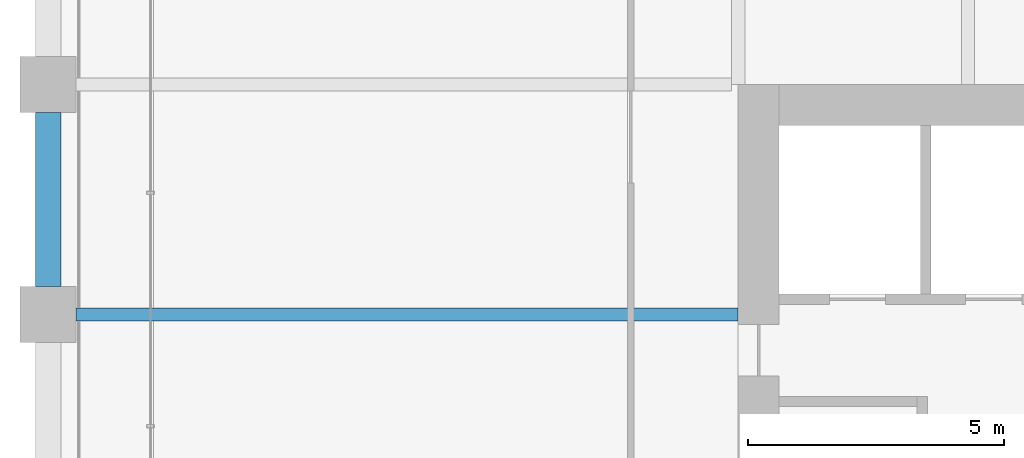
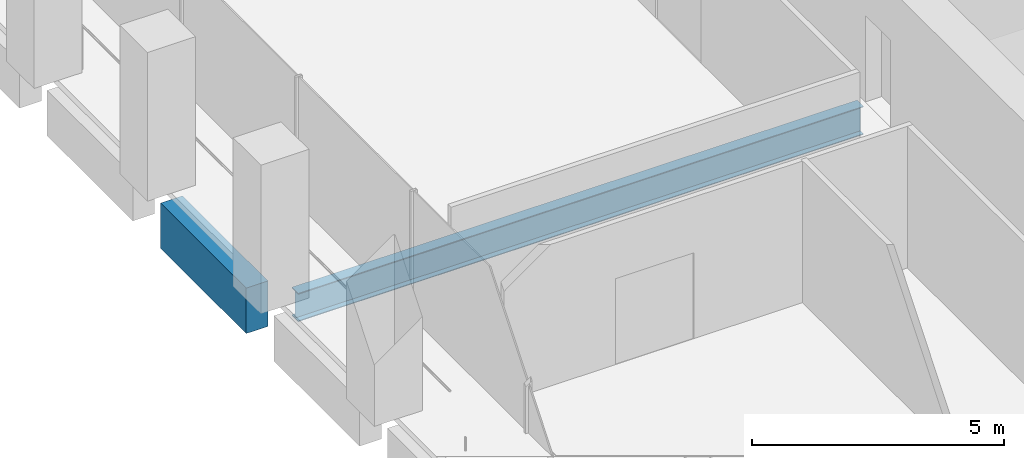
# One storey, part 13 of 54: 2 beams.
"""IFC4 building model written with IfcOpenShell, lengths in metres."""

import ifcopenshell
import ifcopenshell.guid

model = None  # the IFC model being written
_history = None  # IfcOwnerHistory: only IFC2X3 demands one
_inside = {}  # id of a spatial element -> (the spatial element, [elements in it])
_under = {}  # id of a project, library or spatial element -> (it, [spatial elements below it])
_declared = {}  # id of a project -> (the project, [libraries it declares])
_typed = {}  # id of a type object -> (the type object, [elements of that type])
_made_of = {}  # id of a material, layer set ... -> (it, [elements and type objects made of it])


def new_model(schema):
    """Start an empty IFC model of exactly this schema.

    Asked for "IFC4X3", IfcOpenShell would pick the latest addendum, in which some entities
    have other attributes; the version numbers below select the first issue.
    IFC2X3 requires an IfcOwnerHistory on every rooted entity: one is made here for all.
    """
    global model, _history
    if schema == "IFC4X3":
        model = ifcopenshell.file(schema_version=(4, 3, 0, 0))
    else:
        model = ifcopenshell.file(schema=schema)
    _inside.clear()
    _under.clear()
    _declared.clear()
    _typed.clear()
    _made_of.clear()
    _history = None
    if model.schema == "IFC2X3":
        org = make("IfcOrganization", Name="unknown")
        user = make(
            "IfcPersonAndOrganization",
            ThePerson=make("IfcPerson", FamilyName="unknown"),
            TheOrganization=org,
        )
        app = make(
            "IfcApplication",
            ApplicationDeveloper=org,
            Version="unknown",
            ApplicationFullName="unknown",
            ApplicationIdentifier="unknown",
        )
        _history = make(
            "IfcOwnerHistory",
            OwningUser=user,
            OwningApplication=app,
            ChangeAction="ADDED",
            CreationDate=0,
        )
    return model


def make(cls, **values):
    """One entity of the class cls with the attributes given. An attribute that is None is left unset."""
    return model.create_entity(
        cls, **{name: value for name, value in values.items() if value is not None}
    )


def rooted(cls, **values):
    """An entity with a GlobalId (a new one), such as an element, a storey or a relation."""
    return make(cls, GlobalId=ifcopenshell.guid.new(), OwnerHistory=_history, **values)


def si_unit(unit_type, name, prefix=None):
    """IfcSIUnit, for example si_unit("LENGTHUNIT", "METRE", prefix="MILLI")."""
    return make("IfcSIUnit", UnitType=unit_type, Prefix=prefix, Name=name)


def assignment(units):
    """IfcUnitAssignment: the units of a project."""
    return None if units is None else make("IfcUnitAssignment", Units=units)


def point(xyz):
    """IfcCartesianPoint."""
    return None if xyz is None else make("IfcCartesianPoint", Coordinates=xyz)


def direction(xyz):
    """IfcDirection."""
    return None if xyz is None else make("IfcDirection", DirectionRatios=xyz)


def frame(location, z_axis=None, x_axis=None):
    """IfcAxis2Placement3D, a coordinate frame: its origin and axes. An axis left out is left unset."""
    return make(
        "IfcAxis2Placement3D",
        Location=point(location),
        Axis=direction(z_axis),
        RefDirection=direction(x_axis),
    )


def frame_2d(location, x_axis=None):
    """IfcAxis2Placement2D, a coordinate frame in the plane: its origin and x axis."""
    return make(
        "IfcAxis2Placement2D", Location=point(location), RefDirection=direction(x_axis)
    )


def origin():
    """The frame at (0, 0, 0) with its axes left unset."""
    return frame((0.0, 0.0, 0.0))


def origin_2d():
    """The frame at (0, 0) in the plane with its x axis left unset."""
    return frame_2d((0.0, 0.0))


def place(relative_to, where):
    """IfcLocalPlacement: puts the frame where relative to a parent placement (None: the world)."""
    return make(
        "IfcLocalPlacement", PlacementRelTo=relative_to, RelativePlacement=where
    )


def context(
    kind, dimensions, precision=None, world=None, true_north=None, identifier=None
):
    """IfcGeometricRepresentationContext, for example the 3D "Model" context."""
    return make(
        "IfcGeometricRepresentationContext",
        ContextIdentifier=identifier,
        ContextType=kind,
        CoordinateSpaceDimension=dimensions,
        Precision=precision,
        WorldCoordinateSystem=world,
        TrueNorth=true_north,
    )


def subcontext(parent, identifier, kind, view, scale=None):
    """IfcGeometricRepresentationSubContext, for example "Body" below "Model"."""
    return make(
        "IfcGeometricRepresentationSubContext",
        ContextIdentifier=identifier,
        ContextType=kind,
        ParentContext=parent,
        TargetScale=scale,
        TargetView=view,
    )


def project(units=None, contexts=None):
    """IfcProject with its units and contexts."""
    return rooted(
        "IfcProject",
        Name="project",
        RepresentationContexts=contexts,
        UnitsInContext=assignment(units),
    )


def spatial(cls, under=None, at=None, **own):
    """A site, building, storey or space (cls), placed at a placement, below another one or the project."""
    s = rooted(cls, ObjectPlacement=at, **own)
    if under is not None:
        _under.setdefault(under.id(), (under, []))[1].append(s)
    return s


def profile(cls, at=None, kind="AREA", **sizes):
    """A parametric profile (cls). Its sizes go by their IFC names, for example OverallWidth=200.0."""
    return make(cls, ProfileType=kind, Position=at, **sizes)


def rectangle(**sizes):
    """IfcRectangleProfileDef."""
    return profile("IfcRectangleProfileDef", **sizes)


def i_section(**sizes):
    """IfcIShapeProfileDef."""
    return profile("IfcIShapeProfileDef", **sizes)


def extrude(swept, where, along, depth):
    """IfcExtrudedAreaSolid: the profile swept, set in the frame where, extruded along a direction by depth."""
    return make(
        "IfcExtrudedAreaSolid",
        SweptArea=swept,
        Position=where,
        ExtrudedDirection=direction(along),
        Depth=depth,
    )


def shape(context_of_items, identifier, shape_type, items):
    """IfcShapeRepresentation: the items that make up one representation, for example the "Body"."""
    return make(
        "IfcShapeRepresentation",
        ContextOfItems=context_of_items,
        RepresentationIdentifier=identifier,
        RepresentationType=shape_type,
        Items=items,
    )


def material(Name=None, Category=None):
    """IfcMaterial."""
    return make("IfcMaterial", Name=Name, Category=Category)


def material_profile(
    of_material, cross_section, Name=None, Category=None, Priority=None
):
    """IfcMaterialProfile: a cross section and its material."""
    return make(
        "IfcMaterialProfile",
        Name=Name,
        Material=of_material,
        Profile=cross_section,
        Priority=Priority,
        Category=Category,
    )


def profile_set(profiles, Name=None, composite=None):
    """IfcMaterialProfileSet."""
    return make(
        "IfcMaterialProfileSet",
        Name=Name,
        MaterialProfiles=profiles,
        CompositeProfile=composite,
    )


def made_of(thing, what):
    """Note that an element or type object is made of a material, layer set ...; save() writes the relation."""
    if what is not None:
        _made_of.setdefault(what.id(), (what, []))[1].append(thing)
    return thing


def type_object(cls, material=None, **own):
    """A type object (cls), such as IfcWallType, which elements share."""
    return made_of(rooted(cls, **own), material)


def element(
    cls,
    number,
    at=None,
    inside=None,
    cuts=None,
    type_object=None,
    material=None,
    context=None,
    identifier="Body",
    shape_type=None,
    held_by="IfcProductDefinitionShape",
    body=None,
    shapes=None,
    **own,
):
    """One element of the class cls, such as IfcWall. Its Tag is "e" and its number.

    at: its placement. inside: the storey or other place that contains it. cuts: it is an
    opening in that element (IfcRelVoidsElement). A single representation is given by context,
    identifier, shape_type and body (its items); several are given by shapes. held_by: the class
    of the entity that holds the representations. save() writes the other relations.
    """
    e = rooted(cls, Tag="e%d" % number, ObjectPlacement=at, **own)
    if body is not None:
        shapes = [shape(context, identifier, shape_type, body)]
    if shapes is not None:
        e.Representation = make(held_by, Representations=shapes)
    if inside is not None:
        _inside.setdefault(inside.id(), (inside, []))[1].append(e)
    if cuts is not None:
        rooted(
            "IfcRelVoidsElement", RelatingBuildingElement=cuts, RelatedOpeningElement=e
        )
    if type_object is not None:
        _typed.setdefault(type_object.id(), (type_object, []))[1].append(e)
    return made_of(e, material)


def aggregate(whole, parts):
    """IfcRelAggregates: a whole, such as a stair, and the parts it consists of."""
    return rooted("IfcRelAggregates", RelatingObject=whole, RelatedObjects=parts)


def save(model, path):
    """Write the relations noted so far, then the file.

    IfcRelAggregates (storeys below a building ...), IfcRelContainedInSpatialStructure (elements
    in a storey), IfcRelDefinesByType, IfcRelAssociatesMaterial and IfcRelDeclares: one each for
    every whole, place, type object, material and project.
    """
    for whole, parts in _under.values():
        aggregate(whole, parts)
    for where, things in _inside.values():
        rooted(
            "IfcRelContainedInSpatialStructure",
            RelatedElements=things,
            RelatingStructure=where,
        )
    for kind, things in _typed.values():
        rooted("IfcRelDefinesByType", RelatedObjects=things, RelatingType=kind)
    for what, things in _made_of.values():
        rooted("IfcRelAssociatesMaterial", RelatedObjects=things, RelatingMaterial=what)
    for by, libraries in _declared.values():
        rooted("IfcRelDeclares", RelatingContext=by, RelatedDefinitions=libraries)
    model.write(path)


model = new_model("IFC4")

# Units and contexts
model_context = context("Model", 3, precision=1e-05, world=origin(), true_north=direction((0.0, 1.0)))
body_context = subcontext(model_context, "Body", "Model", "MODEL_VIEW")
ifc_project = project(units=[si_unit("LENGTHUNIT", "METRE"), si_unit("AREAUNIT", "SQUARE_METRE"), si_unit("VOLUMEUNIT", "CUBIC_METRE"), si_unit("PLANEANGLEUNIT", "RADIAN"), si_unit("MASSUNIT", "GRAM", prefix="KILO")], contexts=[model_context])

# Site, building, storey
site_placement = place(None, origin())
site = spatial("IfcSite", under=ifc_project, at=site_placement, CompositionType="ELEMENT")
building_placement = place(site_placement, origin())
building = spatial("IfcBuilding", under=site, at=building_placement, Name="Altepetl Exchange Towers", CompositionType="ELEMENT")
storey_placement = place(building_placement, frame((0.0, 0.0, 58.199951171875)))
storey = spatial("IfcBuildingStorey", under=building, at=storey_placement, Name="L13", CompositionType="ELEMENT", Elevation=58.199951171875)

# Beams
ifc_material_1 = material(Name="Steel S355", Category="steel")
ifc_material_profile_1 = material_profile(ifc_material_1, i_section(OverallWidth=0.25390625, OverallDepth=0.68408203125, WebThickness=0.012451171875, FlangeThickness=0.018798828125, at=origin_2d()), Name="W27X94")
ifc_profile_set_1 = profile_set([ifc_material_profile_1], Name="Steel S355")
beam_type_1 = type_object("IfcBeamType", Name="Floor beam W27X94", PredefinedType="BEAM", material=ifc_profile_set_1)
beam_1_placement = place(storey_placement, frame((27.550048828125, 54.0, -0.491943359375), z_axis=(1.0, 0.0, 0.0), x_axis=(0.0, 1.0, 0.0)))
element("IfcBeam", 1, at=beam_1_placement, inside=storey, type_object=beam_type_1, Name="bm:A:L13:020", PredefinedType="BEAM", context=body_context, shape_type="SweptSolid", body=[
    extrude(i_section(OverallWidth=0.25390625, OverallDepth=0.68408203125, WebThickness=0.012451171875, FlangeThickness=0.018798828125, at=origin_2d()), origin(), (0.0, 0.0, 1.0), 12.949951171875),
])
ifc_material_2 = material(Name="Concrete C50/60 precast with tezontle facing", Category="concrete")
ifc_material_profile_2 = material_profile(ifc_material_2, rectangle(XDim=0.5, YDim=1.10009765625, at=origin_2d()), Name="500 x 1100")
ifc_profile_set_2 = profile_set([ifc_material_profile_2], Name="Concrete C50/60 precast with tezontle facing")
beam_type_2 = type_object("IfcBeamType", Name="Spandrel beam 500x1100 tezontle", PredefinedType="SPANDREL", material=ifc_profile_set_2)
beam_2_placement = place(storey_placement, frame((27.0, 57.949951171875, -0.699951171875), z_axis=(0.0, -1.0, 0.0), x_axis=(1.0, 0.0, 0.0)))
element("IfcBeam", 2, at=beam_2_placement, inside=storey, type_object=beam_type_2, Name="sp:A:L13:038", PredefinedType="SPANDREL", context=body_context, shape_type="SweptSolid", body=[
    extrude(rectangle(XDim=0.5, YDim=1.10009765625, at=origin_2d()), origin(), (0.0, 0.0, 1.0), 3.39990234375),
])

save(model, "model.ifc")
